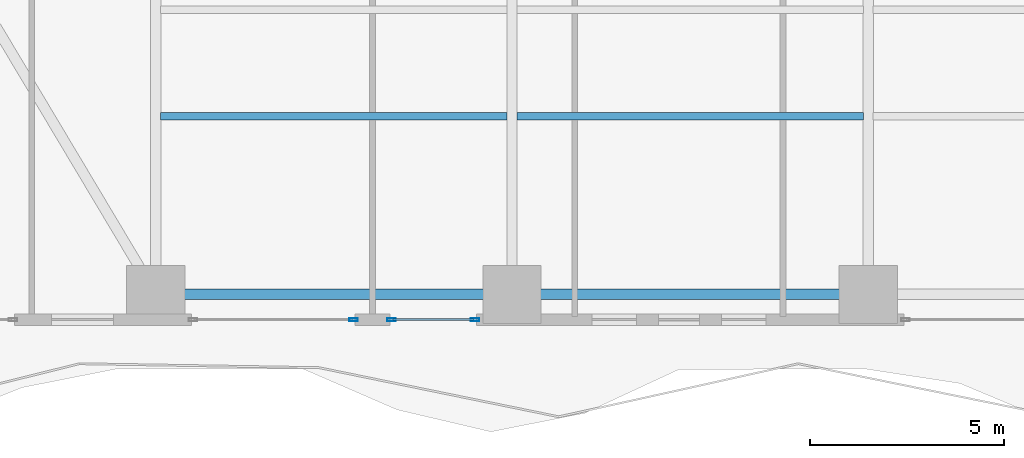
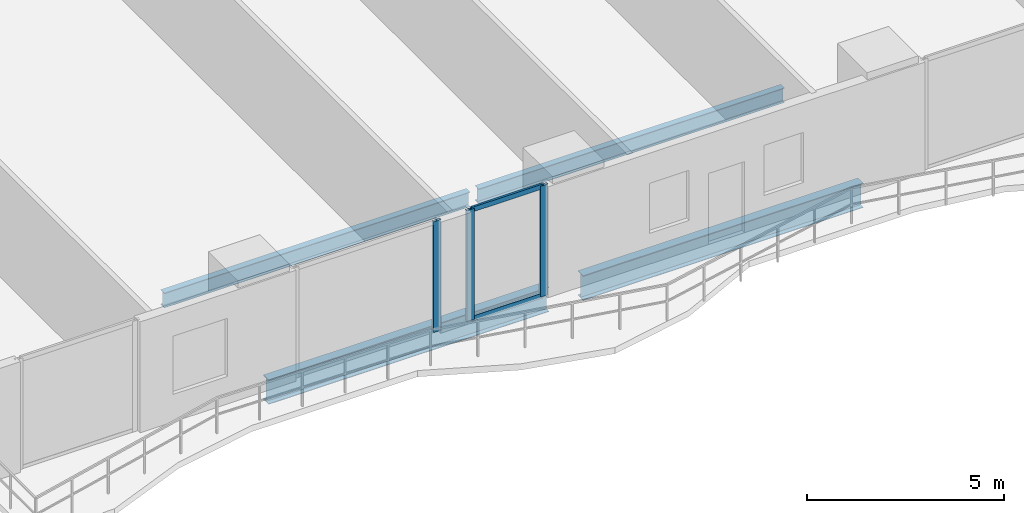
# One storey, part 4 of 29: 5 members, 4 beams, 2 elements without a shape of their own.
"""IFC4 building model written with IfcOpenShell, lengths in metres."""

from ifc_helpers import new_model, si_unit, direction, frame, origin, origin_2d, place, context, subcontext, project, spatial, hollow_rectangle, i_section, extrude, material, layer, layer_set, material_profile, profile_set, type_object, element, aggregate, save


model = new_model("IFC4")

# Units and contexts
model_context = context("Model", 3, precision=1e-05, world=origin(), true_north=direction((0.0, 1.0)))
body_context = subcontext(model_context, "Body", "Model", "MODEL_VIEW")
ifc_project = project(units=[si_unit("LENGTHUNIT", "METRE"), si_unit("AREAUNIT", "SQUARE_METRE"), si_unit("VOLUMEUNIT", "CUBIC_METRE"), si_unit("PLANEANGLEUNIT", "RADIAN"), si_unit("MASSUNIT", "GRAM", prefix="KILO")], contexts=[model_context])

# Site, building, storey
site_placement = place(None, origin())
site = spatial("IfcSite", under=ifc_project, at=site_placement, CompositionType="ELEMENT")
building_placement = place(site_placement, origin())
building = spatial("IfcBuilding", under=site, at=building_placement, Name="Zuhayl Quay Hotel", CompositionType="ELEMENT")
storey_placement = place(building_placement, frame((0.0, 0.0, 38.550048828125)))
storey = spatial("IfcBuildingStorey", under=building, at=storey_placement, Name="L08", CompositionType="ELEMENT", Elevation=38.550048828125)

# Beams
ifc_material_1 = material(Name="Steel ASTM A992 Grade 50", Category="steel")
ifc_material_profile_1 = material_profile(ifc_material_1, i_section(OverallWidth=0.26708984375, OverallDepth=0.761962890625, WebThickness=0.014404296875, FlangeThickness=0.021484375, at=origin_2d()), Name="W30X116")
ifc_profile_set_1 = profile_set([ifc_material_profile_1], Name="Steel ASTM A992 Grade 50")
beam_type_1 = type_object("IfcBeamType", Name="BM_B1_W30X116", PredefinedType="BEAM", material=ifc_profile_set_1)
beam_1_placement = place(storey_placement, frame((-13.300048828125, -22.449951171875, -0.60107421875), z_axis=(1.0, 0.0, 0.0), x_axis=(0.0, 1.0, 0.0)))
element("IfcBeam", 1, at=beam_1_placement, inside=storey, type_object=beam_type_1, Name="L08 Floor Beam RG_L08_01", PredefinedType="BEAM", context=body_context, shape_type="SweptSolid", body=[
    extrude(i_section(OverallWidth=0.26708984375, OverallDepth=0.761962890625, WebThickness=0.014404296875, FlangeThickness=0.021484375, at=origin_2d()), origin(), (0.0, 0.0, 1.0), 8.199951171875),
])
beam_2_placement = place(storey_placement, frame((-4.10009765625, -22.449951171875, -0.60107421875), z_axis=(1.0, 0.0, 0.0), x_axis=(0.0, 1.0, 0.0)))
element("IfcBeam", 2, at=beam_2_placement, inside=storey, type_object=beam_type_1, Name="L08 Floor Beam RG_L08_02", PredefinedType="BEAM", context=body_context, shape_type="SweptSolid", body=[
    extrude(i_section(OverallWidth=0.26708984375, OverallDepth=0.761962890625, WebThickness=0.014404296875, FlangeThickness=0.021484375, at=origin_2d()), origin(), (0.0, 0.0, 1.0), 8.2001953125),
])
ifc_material_profile_2 = material_profile(ifc_material_1, i_section(OverallWidth=0.18994140625, OverallDepth=0.45703125, WebThickness=0.009033203125, FlangeThickness=0.014404296875, at=origin_2d()), Name="W18X50")
ifc_profile_set_2 = profile_set([ifc_material_profile_2], Name="Steel ASTM A992 Grade 50")
beam_type_2 = type_object("IfcBeamType", Name="BM_J2_W18X50", PredefinedType="JOIST", material=ifc_profile_set_2)
beam_3_placement = place(storey_placement, frame((-13.674560546875, -17.85009765625, -0.448486328125), z_axis=(1.0, 0.0, 0.0), x_axis=(0.0, 1.0, 0.0)))
element("IfcBeam", 3, at=beam_3_placement, inside=storey, type_object=beam_type_2, Name="L08 Floor Beam FJ_L08_3_1", PredefinedType="JOIST", context=body_context, shape_type="SweptSolid", body=[
    extrude(i_section(OverallWidth=0.18994140625, OverallDepth=0.45703125, WebThickness=0.009033203125, FlangeThickness=0.014404296875, at=origin_2d()), origin(), (0.0, 0.0, 1.0), 8.948974609375),
])
beam_4_placement = place(storey_placement, frame((-4.474609375, -17.85009765625, -0.448486328125), z_axis=(1.0, 0.0, 0.0), x_axis=(0.0, 1.0, 0.0)))
element("IfcBeam", 4, at=beam_4_placement, inside=storey, type_object=beam_type_2, Name="L08 Floor Beam FJ_L08_3_2", PredefinedType="JOIST", context=body_context, shape_type="SweptSolid", body=[
    extrude(i_section(OverallWidth=0.18994140625, OverallDepth=0.45703125, WebThickness=0.009033203125, FlangeThickness=0.014404296875, at=origin_2d()), origin(), (0.0, 0.0, 1.0), 8.94921875),
])

# Curtain wall, members
ifc_material_2 = material(Name="Anodised Aluminium 6063-T6", Category="aluminium")
ifc_layer = layer(ifc_material_2, 0.18994140625, Name="Anodised Aluminium 6063-T6", Category="aluminium")
ifc_layer_set = layer_set([ifc_layer], Name="Anodised Aluminium 6063-T6")
curtain_wall_type = type_object("IfcCurtainWallType", Name="CW_SYS_Z1", PredefinedType="USERDEFINED", material=ifc_layer_set)
curtain_wall_1_placement = place(storey_placement, origin())
curtain_wall_1 = element("IfcCurtainWall", 5, at=curtain_wall_1_placement, inside=storey, type_object=curtain_wall_type, Name="L08 Curtain Wall ENV_L08_S_CW3", ObjectType="UNITISED CURTAIN WALL", PredefinedType="USERDEFINED")
ifc_material_3 = material(Name="Black-anodised aluminium 6063-T6", Category="aluminium")
ifc_material_profile_3 = material_profile(ifc_material_3, hollow_rectangle(XDim=0.074951171875, YDim=0.219970703125, WallThickness=0.00390625, at=origin_2d()), Name="ALU220X75")
ifc_profile_set_3 = profile_set([ifc_material_profile_3], Name="Black-anodised aluminium 6063-T6")
member_type_1 = type_object("IfcMemberType", Name="MB_CW_MUL_220", PredefinedType="MULLION", material=ifc_profile_set_3)
member_1_placement = place(storey_placement, frame((-5.5576171875, -23.10009765625, 0.0), z_axis=(0.0, 0.0, 1.0), x_axis=(0.0, -1.0, 0.0)))
member_1 = element("IfcMember", 6, at=member_1_placement, type_object=member_type_1, Name="CW-Z1 mullion 1", PredefinedType="MULLION", context=body_context, shape_type="SweptSolid", body=[
    extrude(hollow_rectangle(XDim=0.074951171875, YDim=0.219970703125, WallThickness=0.00390625, at=origin_2d()), origin(), (0.0, 0.0, 1.0), 3.429931640625),
])
member_2_placement = place(storey_placement, frame((-7.71240234375, -23.10009765625, 0.0), z_axis=(0.0, 0.0, 1.0), x_axis=(0.0, -1.0, 0.0)))
member_2 = element("IfcMember", 7, at=member_2_placement, type_object=member_type_1, Name="CW-Z1 mullion 2", PredefinedType="MULLION", context=body_context, shape_type="SweptSolid", body=[
    extrude(hollow_rectangle(XDim=0.074951171875, YDim=0.219970703125, WallThickness=0.00390625, at=origin_2d()), origin(), (0.0, 0.0, 1.0), 3.429931640625),
])

# Curtain wall, member
curtain_wall_2_placement = place(storey_placement, origin())
curtain_wall_2 = element("IfcCurtainWall", 8, at=curtain_wall_2_placement, inside=storey, type_object=curtain_wall_type, Name="L08 Curtain Wall ENV_L08_S_CW4", ObjectType="UNITISED CURTAIN WALL", PredefinedType="USERDEFINED")
member_3_placement = place(storey_placement, frame((-8.6875, -23.10009765625, 0.0), z_axis=(0.0, 0.0, 1.0), x_axis=(0.0, -1.0, 0.0)))
member_3 = element("IfcMember", 9, at=member_3_placement, type_object=member_type_1, Name="CW-Z1 mullion 1", PredefinedType="MULLION", context=body_context, shape_type="SweptSolid", body=[
    extrude(hollow_rectangle(XDim=0.074951171875, YDim=0.219970703125, WallThickness=0.00390625, at=origin_2d()), origin(), (0.0, 0.0, 1.0), 3.429931640625),
])
aggregate(curtain_wall_2, [member_3])

# Member
ifc_material_profile_4 = material_profile(ifc_material_3, hollow_rectangle(XDim=0.06005859375, YDim=0.14990234375, WallThickness=0.00341796875, at=origin_2d()), Name="ALU150X60")
ifc_profile_set_4 = profile_set([ifc_material_profile_4], Name="Black-anodised aluminium 6063-T6")
member_type_2 = type_object("IfcMemberType", Name="MB_CW_TRN_150", PredefinedType="USERDEFINED", material=ifc_profile_set_4)
member_4_placement = place(storey_placement, frame((-5.594970703125, -23.10009765625, 0.030029296875), z_axis=(-1.0, 0.0, 0.0), x_axis=(0.0, -1.0, 0.0)))
member_4 = element("IfcMember", 10, at=member_4_placement, type_object=member_type_2, Name="CW-Z1 transom 1.1", ObjectType="TRANSOM", PredefinedType="USERDEFINED", context=body_context, shape_type="SweptSolid", body=[
    extrude(hollow_rectangle(XDim=0.06005859375, YDim=0.14990234375, WallThickness=0.00341796875, at=origin_2d()), origin(), (0.0, 0.0, 1.0), 2.080078125),
])

member_5_placement = place(storey_placement, frame((-5.594970703125, -23.10009765625, 3.39990234375), z_axis=(-1.0, 0.0, 0.0), x_axis=(0.0, -1.0, 0.0)))
member_5 = element("IfcMember", 11, at=member_5_placement, type_object=member_type_2, Name="CW-Z1 transom 1.2", ObjectType="TRANSOM", PredefinedType="USERDEFINED", context=body_context, shape_type="SweptSolid", body=[
    extrude(hollow_rectangle(XDim=0.06005859375, YDim=0.14990234375, WallThickness=0.00341796875, at=origin_2d()), origin(), (0.0, 0.0, 1.0), 2.080078125),
])

aggregate(curtain_wall_1, [member_1, member_2, member_4, member_5])

save(model, "model.ifc")
